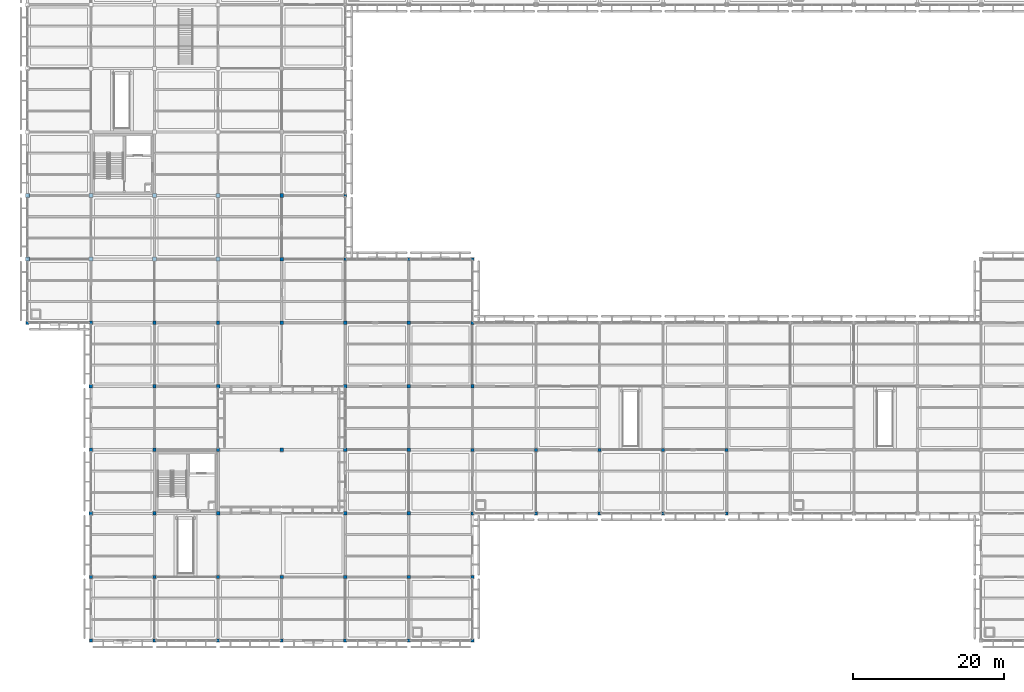
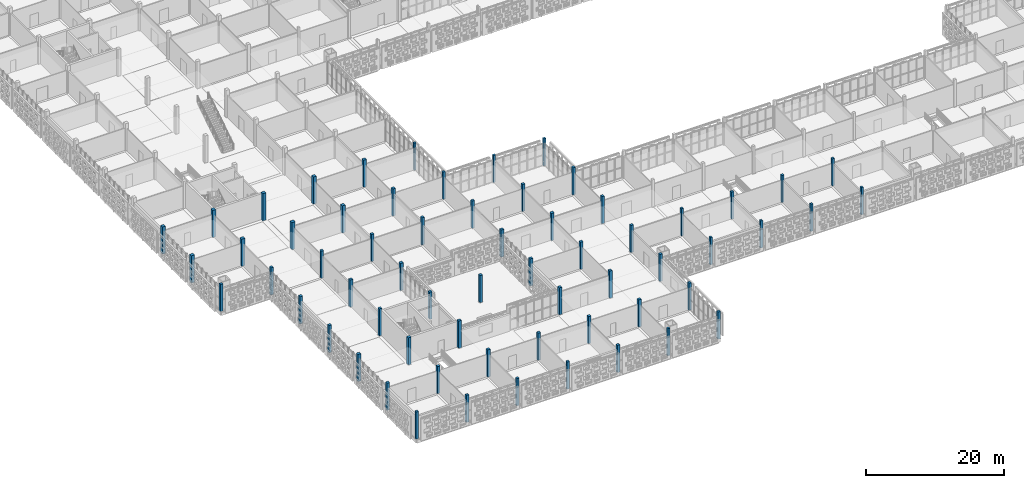
# One storey, part 1 of 203: 63 columns.
"""IFC4 building model written with IfcOpenShell, lengths in metres."""

from ifc_helpers import new_model, si_unit, direction, frame, origin, origin_2d, place, context, subcontext, project, spatial, rectangle, extrude, material, material_profile, profile_set, type_object, element, save


model = new_model("IFC4")

# Units and contexts
model_context = context("Model", 3, precision=1e-05, world=origin(), true_north=direction((0.0, 1.0)))
body_context = subcontext(model_context, "Body", "Model", "MODEL_VIEW")
ifc_project = project(units=[si_unit("LENGTHUNIT", "METRE"), si_unit("AREAUNIT", "SQUARE_METRE"), si_unit("VOLUMEUNIT", "CUBIC_METRE"), si_unit("PLANEANGLEUNIT", "RADIAN"), si_unit("MASSUNIT", "GRAM", prefix="KILO")], contexts=[model_context])

# Site, building, storey
site_placement = place(None, origin())
site = spatial("IfcSite", under=ifc_project, at=site_placement, CompositionType="ELEMENT")
building_placement = place(site_placement, origin())
building = spatial("IfcBuilding", under=site, at=building_placement, Name="Varnapada Polytechnic", CompositionType="ELEMENT")
storey_placement = place(building_placement, frame((0.0, 0.0, 4.800048828125)))
storey = spatial("IfcBuildingStorey", under=building, at=storey_placement, Name="L01", CompositionType="ELEMENT", Elevation=4.800048828125)

# Columns
ifc_material = material(Name="Glulam GL32h", Category="wood")
ifc_material_profile_1 = material_profile(ifc_material, rectangle(XDim=0.52001953125, YDim=0.52001953125, at=origin_2d()), Name="GL 520x520")
ifc_profile_set_1 = profile_set([ifc_material_profile_1], Name="Glulam GL32h")
column_type_1 = type_object("IfcColumnType", Name="Column C-11 (GL 520x520)", PredefinedType="COLUMN", material=ifc_profile_set_1)
for number, where, z_axis, x_axis, name in (
    (1, (0.0, 50.39990234375, 0.0), (0.0, 0.0, 1.0), (1.0, 0.0, 0.0), "L01 column 1/7"),
    (2, (0.0, 58.800048828125, 0.0), (0.0, 0.0, 1.0), (1.0, 0.0, 0.0), "L01 column 1/8"),
    (3, (8.39990234375, 50.39990234375, 0.0), (0.0, 0.0, 1.0), (1.0, 0.0, 0.0), "L01 column 2/7"),
    (4, (8.39990234375, 58.800048828125, 0.0), (0.0, 0.0, 1.0), (1.0, 0.0, 0.0), "L01 column 2/8"),
    (5, (16.800048828125, 50.39990234375, 0.0), (0.0, 0.0, 1.0), (1.0, 0.0, 0.0), "L01 column 3/7"),
    (6, (16.800048828125, 58.800048828125, 0.0), (0.0, 0.0, 1.0), (1.0, 0.0, 0.0), "L01 column 3/8"),
    (7, (25.199951171875, 50.39990234375, 0.0), (0.0, 0.0, 1.0), (1.0, 0.0, 0.0), "L01 column 4/7"),
    (8, (25.199951171875, 58.800048828125, 0.0), (0.0, 0.0, 1.0), (1.0, 0.0, 0.0), "L01 column 4/8"),
):
    element("IfcColumn", number, at=place(storey_placement, frame(where, z_axis=z_axis, x_axis=x_axis)), inside=storey, type_object=column_type_1, Name=name, PredefinedType="COLUMN", context=body_context, shape_type="SweptSolid", body=[
        extrude(rectangle(XDim=0.52001953125, YDim=0.52001953125, at=origin_2d()), origin(), (0.0, 0.0, 1.0), 4.800048828125),
    ])
ifc_material_profile_2 = material_profile(ifc_material, rectangle(XDim=0.4599609375, YDim=0.4599609375, at=origin_2d()), Name="GL 460x460")
ifc_profile_set_2 = profile_set([ifc_material_profile_2], Name="Glulam GL32h")
column_type_2 = type_object("IfcColumnType", Name="Column C-12 (GL 460x460)", PredefinedType="COLUMN", material=ifc_profile_set_2)
for number, where, z_axis, x_axis, name in (
    (9, (8.39990234375, 16.800048828125, 0.0), (0.0, 0.0, 1.0), (1.0, 0.0, 0.0), "L01 column 2/3"),
    (10, (8.39990234375, 33.60009765625, 0.0), (0.0, 0.0, 1.0), (1.0, 0.0, 0.0), "L01 column 2/5"),
    (11, (16.800048828125, 16.800048828125, 0.0), (0.0, 0.0, 1.0), (1.0, 0.0, 0.0), "L01 column 3/3"),
    (12, (16.800048828125, 33.60009765625, 0.0), (0.0, 0.0, 1.0), (1.0, 0.0, 0.0), "L01 column 3/5"),
    (13, (25.199951171875, 16.800048828125, 0.0), (0.0, 0.0, 1.0), (1.0, 0.0, 0.0), "L01 column 4/3"),
    (14, (25.199951171875, 33.60009765625, 0.0), (0.0, 0.0, 1.0), (1.0, 0.0, 0.0), "L01 column 4/5"),
    (15, (33.60009765625, 50.39990234375, 0.0), (0.0, 0.0, 1.0), (1.0, 0.0, 0.0), "L01 column 5/7"),
    (16, (42.0, 16.800048828125, 0.0), (0.0, 0.0, 1.0), (1.0, 0.0, 0.0), "L01 column 6/3"),
    (17, (42.0, 33.60009765625, 0.0), (0.0, 0.0, 1.0), (1.0, 0.0, 0.0), "L01 column 6/5"),
    (18, (50.39990234375, 16.800048828125, 0.0), (0.0, 0.0, 1.0), (1.0, 0.0, 0.0), "L01 column 7/3"),
    (19, (50.39990234375, 33.60009765625, 0.0), (0.0, 0.0, 1.0), (1.0, 0.0, 0.0), "L01 column 7/5"),
):
    element("IfcColumn", number, at=place(storey_placement, frame(where, z_axis=z_axis, x_axis=x_axis)), inside=storey, type_object=column_type_2, Name=name, PredefinedType="COLUMN", context=body_context, shape_type="SweptSolid", body=[
        extrude(rectangle(XDim=0.4599609375, YDim=0.4599609375, at=origin_2d()), origin(), (0.0, 0.0, 1.0), 4.800048828125),
    ])
ifc_material_profile_3 = material_profile(ifc_material, rectangle(XDim=0.39990234375, YDim=0.39990234375, at=origin_2d()), Name="GL 400x400")
ifc_profile_set_3 = profile_set([ifc_material_profile_3], Name="Glulam GL32h")
column_type_3 = type_object("IfcColumnType", Name="Column C-13 (GL 400x400)", PredefinedType="COLUMN", material=ifc_profile_set_3)
for number, where, z_axis, x_axis, name in (
    (20, (8.39990234375, 0.0, 0.0), (0.0, 0.0, 1.0), (1.0, 0.0, 0.0), "L01 column 2/1"),
    (21, (25.199951171875, 0.0, 0.0), (0.0, 0.0, 1.0), (1.0, 0.0, 0.0), "L01 column 4/1"),
    (22, (42.0, 0.0, 0.0), (0.0, 0.0, 1.0), (1.0, 0.0, 0.0), "L01 column 6/1"),
    (23, (58.800048828125, 0.0, 0.0), (0.0, 0.0, 1.0), (1.0, 0.0, 0.0), "L01 column 8/1"),
    (24, (75.60009765625, 25.199951171875, 0.0), (0.0, 0.0, 1.0), (1.0, 0.0, 0.0), "L01 column 10/4"),
    (25, (92.39990234375, 25.199951171875, 0.0), (0.0, 0.0, 1.0), (1.0, 0.0, 0.0), "L01 column 12/4"),
):
    element("IfcColumn", number, at=place(storey_placement, frame(where, z_axis=z_axis, x_axis=x_axis)), inside=storey, type_object=column_type_3, Name=name, PredefinedType="COLUMN", context=body_context, shape_type="SweptSolid", body=[
        extrude(rectangle(XDim=0.39990234375, YDim=0.39990234375, at=origin_2d()), origin(), (0.0, 0.0, 1.0), 4.800048828125),
    ])
ifc_material_profile_4 = material_profile(ifc_material, rectangle(XDim=0.360107421875, YDim=0.360107421875, at=origin_2d()), Name="GL 360x360")
ifc_profile_set_4 = profile_set([ifc_material_profile_4], Name="Glulam GL32h")
column_type_4 = type_object("IfcColumnType", Name="Column C-14 (GL 360x360)", PredefinedType="COLUMN", material=ifc_profile_set_4)
for number, where, z_axis, x_axis, name in (
    (26, (42.0, 50.39990234375, 0.0), (0.0, 0.0, 1.0), (1.0, 0.0, 0.0), "L01 column 6/7"),
    (27, (50.39990234375, 50.39990234375, 0.0), (0.0, 0.0, 1.0), (1.0, 0.0, 0.0), "L01 column 7/7"),
    (28, (58.800048828125, 50.39990234375, 0.0), (0.0, 0.0, 1.0), (1.0, 0.0, 0.0), "L01 column 8/7"),
    (29, (67.199951171875, 16.800048828125, 0.0), (0.0, 0.0, 1.0), (1.0, 0.0, 0.0), "L01 column 9/3"),
    (30, (75.60009765625, 16.800048828125, 0.0), (0.0, 0.0, 1.0), (1.0, 0.0, 0.0), "L01 column 10/3"),
    (31, (84.0, 16.800048828125, 0.0), (0.0, 0.0, 1.0), (1.0, 0.0, 0.0), "L01 column 11/3"),
    (32, (92.39990234375, 16.800048828125, 0.0), (0.0, 0.0, 1.0), (1.0, 0.0, 0.0), "L01 column 12/3"),
):
    element("IfcColumn", number, at=place(storey_placement, frame(where, z_axis=z_axis, x_axis=x_axis)), inside=storey, type_object=column_type_4, Name=name, PredefinedType="COLUMN", context=body_context, shape_type="SweptSolid", body=[
        extrude(rectangle(XDim=0.360107421875, YDim=0.360107421875, at=origin_2d()), origin(), (0.0, 0.0, 1.0), 4.800048828125),
    ])
ifc_material_profile_5 = material_profile(ifc_material, rectangle(XDim=0.419921875, YDim=0.419921875, at=origin_2d()), Name="GL 420x420")
ifc_profile_set_5 = profile_set([ifc_material_profile_5], Name="Glulam GL32h")
column_type_5 = type_object("IfcColumnType", Name="Column C-23 (GL 420x420)", PredefinedType="COLUMN", material=ifc_profile_set_5)
for number, where, z_axis, x_axis, name in (
    (33, (0.0, 42.0, 0.0), (0.0, 0.0, 1.0), (1.0, 0.0, 0.0), "L01 column 1/6"),
    (34, (8.39990234375, 42.0, 0.0), (0.0, 0.0, 1.0), (1.0, 0.0, 0.0), "L01 column 2/6"),
    (35, (16.800048828125, 42.0, 0.0), (0.0, 0.0, 1.0), (1.0, 0.0, 0.0), "L01 column 3/6"),
    (36, (25.199951171875, 42.0, 0.0), (0.0, 0.0, 1.0), (1.0, 0.0, 0.0), "L01 column 4/6"),
    (37, (33.60009765625, 42.0, 0.0), (0.0, 0.0, 1.0), (1.0, 0.0, 0.0), "L01 column 5/6"),
    (38, (42.0, 42.0, 0.0), (0.0, 0.0, 1.0), (1.0, 0.0, 0.0), "L01 column 6/6"),
    (39, (50.39990234375, 42.0, 0.0), (0.0, 0.0, 1.0), (1.0, 0.0, 0.0), "L01 column 7/6"),
    (40, (58.800048828125, 8.39990234375, 0.0), (0.0, 0.0, 1.0), (1.0, 0.0, 0.0), "L01 column 8/2"),
    (41, (58.800048828125, 16.800048828125, 0.0), (0.0, 0.0, 1.0), (1.0, 0.0, 0.0), "L01 column 8/3"),
    (42, (58.800048828125, 25.199951171875, 0.0), (0.0, 0.0, 1.0), (1.0, 0.0, 0.0), "L01 column 8/4"),
    (43, (58.800048828125, 33.60009765625, 0.0), (0.0, 0.0, 1.0), (1.0, 0.0, 0.0), "L01 column 8/5"),
    (44, (58.800048828125, 42.0, 0.0), (0.0, 0.0, 1.0), (1.0, 0.0, 0.0), "L01 column 8/6"),
):
    element("IfcColumn", number, at=place(storey_placement, frame(where, z_axis=z_axis, x_axis=x_axis)), inside=storey, type_object=column_type_5, Name=name, PredefinedType="COLUMN", context=body_context, shape_type="SweptSolid", body=[
        extrude(rectangle(XDim=0.419921875, YDim=0.419921875, at=origin_2d()), origin(), (0.0, 0.0, 1.0), 4.800048828125),
    ])
ifc_material_profile_6 = material_profile(ifc_material, rectangle(XDim=0.3798828125, YDim=0.3798828125, at=origin_2d()), Name="GL 380x380")
ifc_profile_set_6 = profile_set([ifc_material_profile_6], Name="Glulam GL32h")
column_type_6 = type_object("IfcColumnType", Name="Column C-24 (GL 380x380)", PredefinedType="COLUMN", material=ifc_profile_set_6)
for number, where, z_axis, x_axis, name in (
    (45, (16.800048828125, 0.0, 0.0), (0.0, 0.0, 1.0), (1.0, 0.0, 0.0), "L01 column 3/1"),
    (46, (33.60009765625, 0.0, 0.0), (0.0, 0.0, 1.0), (1.0, 0.0, 0.0), "L01 column 5/1"),
    (47, (50.39990234375, 0.0, 0.0), (0.0, 0.0, 1.0), (1.0, 0.0, 0.0), "L01 column 7/1"),
    (48, (67.199951171875, 25.199951171875, 0.0), (0.0, 0.0, 1.0), (1.0, 0.0, 0.0), "L01 column 9/4"),
    (49, (84.0, 25.199951171875, 0.0), (0.0, 0.0, 1.0), (1.0, 0.0, 0.0), "L01 column 11/4"),
):
    element("IfcColumn", number, at=place(storey_placement, frame(where, z_axis=z_axis, x_axis=x_axis)), inside=storey, type_object=column_type_6, Name=name, PredefinedType="COLUMN", context=body_context, shape_type="SweptSolid", body=[
        extrude(rectangle(XDim=0.3798828125, YDim=0.3798828125, at=origin_2d()), origin(), (0.0, 0.0, 1.0), 4.800048828125),
    ])
ifc_material_profile_7 = material_profile(ifc_material, rectangle(XDim=0.47998046875, YDim=0.47998046875, at=origin_2d()), Name="GL 480x480")
ifc_profile_set_7 = profile_set([ifc_material_profile_7], Name="Glulam GL32h")
column_type_7 = type_object("IfcColumnType", Name="Column C-25 (GL 480x480)", PredefinedType="COLUMN", material=ifc_profile_set_7)
column_1_placement = place(storey_placement, frame((33.60009765625, 58.800048828125, 0.0), z_axis=(0.0, 0.0, 1.0), x_axis=(1.0, 0.0, 0.0)))
element("IfcColumn", 50, at=column_1_placement, inside=storey, type_object=column_type_7, Name="L01 column 5/8", PredefinedType="COLUMN", context=body_context, shape_type="SweptSolid", body=[
    extrude(rectangle(XDim=0.47998046875, YDim=0.47998046875, at=origin_2d()), origin(), (0.0, 0.0, 1.0), 4.800048828125),
])
ifc_material_profile_8 = material_profile(ifc_material, rectangle(XDim=0.43994140625, YDim=0.43994140625, at=origin_2d()), Name="GL 440x440")
ifc_profile_set_8 = profile_set([ifc_material_profile_8], Name="Glulam GL32h")
column_type_8 = type_object("IfcColumnType", Name="Column C-26 (GL 440x440)", PredefinedType="COLUMN", material=ifc_profile_set_8)
for number, where, z_axis, x_axis, name in (
    (51, (8.39990234375, 8.39990234375, 0.0), (0.0, 0.0, 1.0), (1.0, 0.0, 0.0), "L01 column 2/2"),
    (52, (8.39990234375, 25.199951171875, 0.0), (0.0, 0.0, 1.0), (1.0, 0.0, 0.0), "L01 column 2/4"),
    (53, (16.800048828125, 8.39990234375, 0.0), (0.0, 0.0, 1.0), (1.0, 0.0, 0.0), "L01 column 3/2"),
    (54, (16.800048828125, 25.199951171875, 0.0), (0.0, 0.0, 1.0), (1.0, 0.0, 0.0), "L01 column 3/4"),
    (55, (25.199951171875, 8.39990234375, 0.0), (0.0, 0.0, 1.0), (1.0, 0.0, 0.0), "L01 column 4/2"),
    (56, (25.199951171875, 25.199951171875, 0.0), (0.0, 0.0, 1.0), (1.0, 0.0, 0.0), "L01 column 4/4"),
    (57, (33.60009765625, 8.39990234375, 0.0), (0.0, 0.0, 1.0), (1.0, 0.0, 0.0), "L01 column 5/2"),
    (58, (33.60009765625, 25.199951171875, 0.0), (0.0, 0.0, 1.0), (1.0, 0.0, 0.0), "L01 column 5/4"),
    (59, (42.0, 8.39990234375, 0.0), (0.0, 0.0, 1.0), (1.0, 0.0, 0.0), "L01 column 6/2"),
    (60, (42.0, 25.199951171875, 0.0), (0.0, 0.0, 1.0), (1.0, 0.0, 0.0), "L01 column 6/4"),
    (61, (50.39990234375, 8.39990234375, 0.0), (0.0, 0.0, 1.0), (1.0, 0.0, 0.0), "L01 column 7/2"),
    (62, (50.39990234375, 25.199951171875, 0.0), (0.0, 0.0, 1.0), (1.0, 0.0, 0.0), "L01 column 7/4"),
):
    element("IfcColumn", number, at=place(storey_placement, frame(where, z_axis=z_axis, x_axis=x_axis)), inside=storey, type_object=column_type_8, Name=name, PredefinedType="COLUMN", context=body_context, shape_type="SweptSolid", body=[
        extrude(rectangle(XDim=0.43994140625, YDim=0.43994140625, at=origin_2d()), origin(), (0.0, 0.0, 1.0), 4.800048828125),
    ])
ifc_material_profile_9 = material_profile(ifc_material, rectangle(XDim=0.340087890625, YDim=0.340087890625, at=origin_2d()), Name="GL 340x340")
ifc_profile_set_9 = profile_set([ifc_material_profile_9], Name="Glulam GL32h")
column_type_9 = type_object("IfcColumnType", Name="Column C-27 (GL 340x340)", PredefinedType="COLUMN", material=ifc_profile_set_9)
column_2_placement = place(storey_placement, frame((42.0, 58.800048828125, 0.0), z_axis=(0.0, 0.0, 1.0), x_axis=(1.0, 0.0, 0.0)))
element("IfcColumn", 63, at=column_2_placement, inside=storey, type_object=column_type_9, Name="L01 column 6/8", PredefinedType="COLUMN", context=body_context, shape_type="SweptSolid", body=[
    extrude(rectangle(XDim=0.340087890625, YDim=0.340087890625, at=origin_2d()), origin(), (0.0, 0.0, 1.0), 4.800048828125),
])

save(model, "model.ifc")
